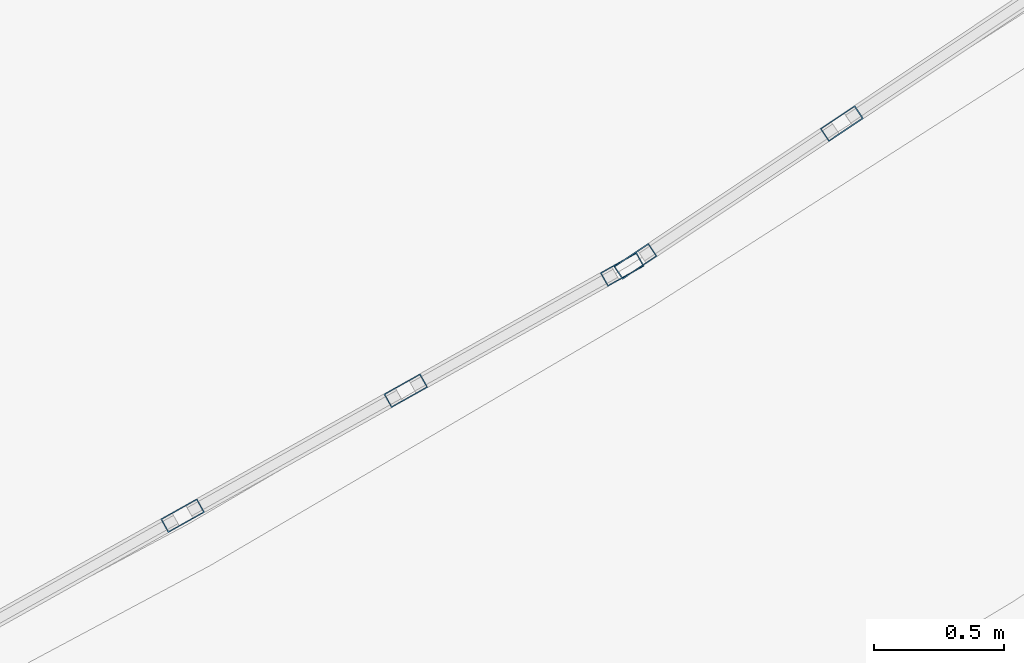
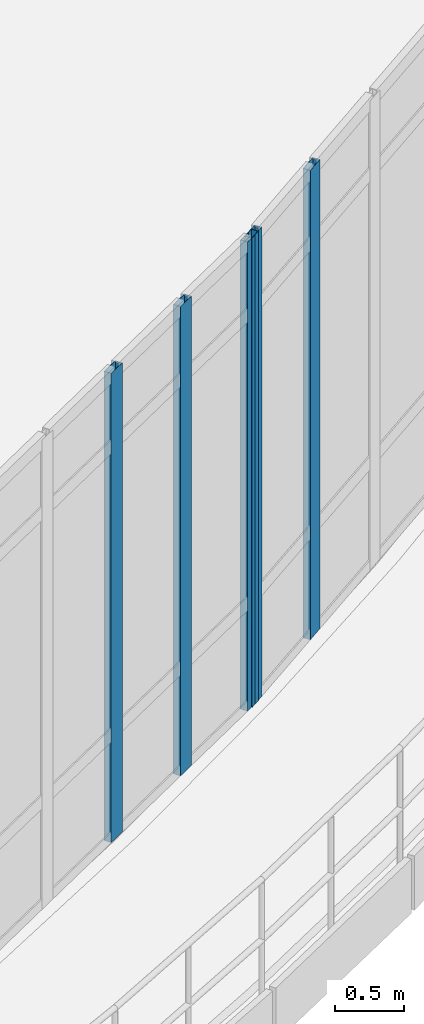
# One storey, part 29 of 134: 5 members, 2 elements without a shape of their own.
"""IFC4 building model written with IfcOpenShell, lengths in metres."""

from ifc_helpers import new_model, si_unit, direction, frame, origin, origin_2d, place, context, subcontext, project, spatial, hollow_rectangle, extrude, material, material_profile, profile_set, type_object, element, aggregate, save


model = new_model("IFC4")

# Units and contexts
model_context = context("Model", 3, precision=1e-05, world=origin(), true_north=direction((0.0, 1.0)))
body_context = subcontext(model_context, "Body", "Model", "MODEL_VIEW")
ifc_project = project(units=[si_unit("LENGTHUNIT", "METRE"), si_unit("AREAUNIT", "SQUARE_METRE"), si_unit("VOLUMEUNIT", "CUBIC_METRE"), si_unit("PLANEANGLEUNIT", "RADIAN"), si_unit("MASSUNIT", "GRAM", prefix="KILO")], contexts=[model_context])

# Site, building, storey
site_placement = place(None, origin())
site = spatial("IfcSite", under=ifc_project, at=site_placement, CompositionType="ELEMENT")
building_placement = place(site_placement, origin())
building = spatial("IfcBuilding", under=site, at=building_placement, Name="Kalluvel Institute of Natural Sciences", CompositionType="ELEMENT")
storey_placement = place(building_placement, frame((0.0, 0.0, 5.39990234375)))
storey = spatial("IfcBuildingStorey", under=building, at=storey_placement, Name="L01", CompositionType="ELEMENT", Elevation=5.39990234375)

# Curtain wall, members
ifc_material = material(Name="Aluminium AW-6063 T6", Category="aluminium")
curtain_wall_type = type_object("IfcCurtainWallType", Name="CW-ATR-ARC", PredefinedType="USERDEFINED", material=ifc_material)
curtain_wall_1_placement = place(storey_placement, origin())
curtain_wall_1 = element("IfcCurtainWall", 1, at=curtain_wall_1_placement, inside=storey, type_object=curtain_wall_type, Name="L01 Gothic lancet curtain wall CWA-L01-X583-Y583", ObjectType="UNITISED LANCET FACADE", PredefinedType="USERDEFINED")
ifc_material_profile = material_profile(ifc_material, hollow_rectangle(XDim=0.06005859375, YDim=0.159912109375, WallThickness=0.00390625, at=origin_2d()), Name="CWM 60x160")
ifc_profile_set = profile_set([ifc_material_profile], Name="Aluminium AW-6063 T6")
member_type = type_object("IfcMemberType", Name="CWM-60x160", PredefinedType="MULLION", material=ifc_profile_set)
member_1_placement = place(storey_placement, frame((59.98779296875, 59.25244140625, 0.0), z_axis=(0.0, 0.0, 1.0), x_axis=(-0.488618896684, 0.872497320227, 0.0)))
member_1 = element("IfcMember", 2, at=member_1_placement, type_object=member_type, Name="CW-05 mullion 3", PredefinedType="MULLION", context=body_context, shape_type="SweptSolid", body=[
    extrude(hollow_rectangle(XDim=0.06005859375, YDim=0.159912109375, WallThickness=0.00390625, at=origin_2d()), origin(), (0.0, 0.0, 1.0), 4.150146484375),
])
member_2_placement = place(storey_placement, frame((60.84326171875, 59.7314453125, 0.0), z_axis=(0.0, 0.0, 1.0), x_axis=(-0.488618896684, 0.872497320227, 0.0)))
member_2 = element("IfcMember", 3, at=member_2_placement, type_object=member_type, Name="CW-05 mullion 4", PredefinedType="MULLION", context=body_context, shape_type="SweptSolid", body=[
    extrude(hollow_rectangle(XDim=0.06005859375, YDim=0.159912109375, WallThickness=0.00390625, at=origin_2d()), origin(), (0.0, 0.0, 1.0), 4.150146484375),
])
member_3_placement = place(storey_placement, frame((61.672607421875, 60.196044921875, 0.0), z_axis=(0.0, 0.0, 1.0), x_axis=(-0.488618896684, 0.872497320227, 0.0)))
member_3 = element("IfcMember", 4, at=member_3_placement, type_object=member_type, Name="CW-05 mullion 5", PredefinedType="MULLION", context=body_context, shape_type="SweptSolid", body=[
    extrude(hollow_rectangle(XDim=0.06005859375, YDim=0.159912109375, WallThickness=0.00390625, at=origin_2d()), origin(), (0.0, 0.0, 1.0), 4.150146484375),
])
aggregate(curtain_wall_1, [member_1, member_2, member_3])

curtain_wall_2_placement = place(storey_placement, origin())
curtain_wall_2 = element("IfcCurtainWall", 5, at=curtain_wall_2_placement, inside=storey, type_object=curtain_wall_type, Name="L01 Gothic lancet curtain wall CWA-L01-X617-Y602", ObjectType="UNITISED LANCET FACADE", PredefinedType="USERDEFINED")
member_4_placement = place(storey_placement, frame((61.7236328125, 60.227294921875, 0.0), z_axis=(0.0, 0.0, 1.0), x_axis=(-0.555570699054, 0.831469300908, 0.0)))
member_4 = element("IfcMember", 6, at=member_4_placement, type_object=member_type, Name="CW-05 mullion 1", PredefinedType="MULLION", context=body_context, shape_type="SweptSolid", body=[
    extrude(hollow_rectangle(XDim=0.06005859375, YDim=0.159912109375, WallThickness=0.00390625, at=origin_2d()), origin(), (0.0, 0.0, 1.0), 4.150146484375),
])
member_5_placement = place(storey_placement, frame((62.51416015625, 60.75537109375, 0.0), z_axis=(0.0, 0.0, 1.0), x_axis=(-0.555570699054, 0.831469300908, 0.0)))
member_5 = element("IfcMember", 7, at=member_5_placement, type_object=member_type, Name="CW-05 mullion 2", PredefinedType="MULLION", context=body_context, shape_type="SweptSolid", body=[
    extrude(hollow_rectangle(XDim=0.06005859375, YDim=0.159912109375, WallThickness=0.00390625, at=origin_2d()), origin(), (0.0, 0.0, 1.0), 4.150146484375),
])
aggregate(curtain_wall_2, [member_4, member_5])

save(model, "model.ifc")
